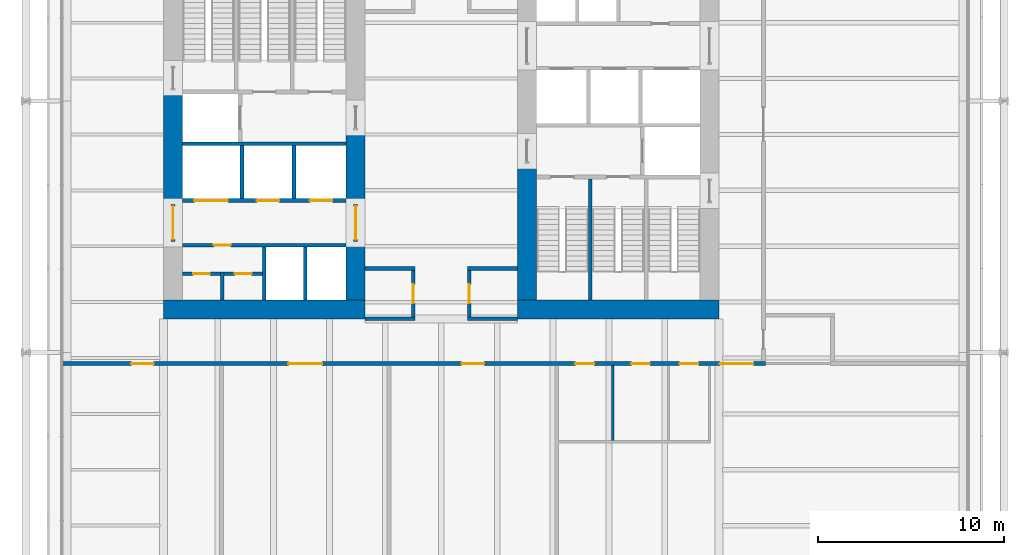
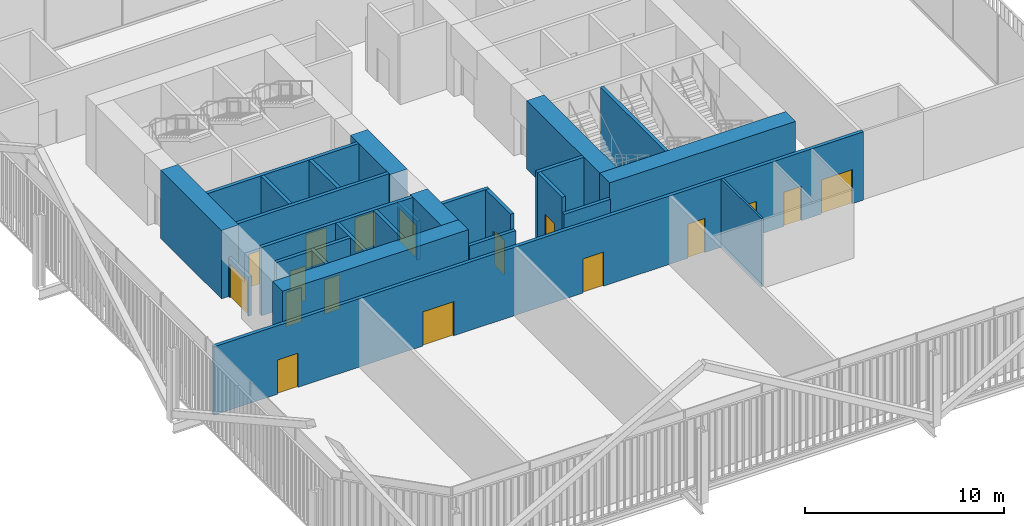
# One storey, part 17 of 21: 26 walls, 17 doors, 17 openings.
"""IFC4 building model written with IfcOpenShell, lengths in metres."""

import ifcopenshell
import ifcopenshell.guid

model = None  # the IFC model being written
_history = None  # IfcOwnerHistory: only IFC2X3 demands one
_inside = {}  # id of a spatial element -> (the spatial element, [elements in it])
_under = {}  # id of a project, library or spatial element -> (it, [spatial elements below it])
_declared = {}  # id of a project -> (the project, [libraries it declares])
_typed = {}  # id of a type object -> (the type object, [elements of that type])
_made_of = {}  # id of a material, layer set ... -> (it, [elements and type objects made of it])


def new_model(schema):
    """Start an empty IFC model of exactly this schema.

    Asked for "IFC4X3", IfcOpenShell would pick the latest addendum, in which some entities
    have other attributes; the version numbers below select the first issue.
    IFC2X3 requires an IfcOwnerHistory on every rooted entity: one is made here for all.
    """
    global model, _history
    if schema == "IFC4X3":
        model = ifcopenshell.file(schema_version=(4, 3, 0, 0))
    else:
        model = ifcopenshell.file(schema=schema)
    _inside.clear()
    _under.clear()
    _declared.clear()
    _typed.clear()
    _made_of.clear()
    _history = None
    if model.schema == "IFC2X3":
        org = make("IfcOrganization", Name="unknown")
        user = make(
            "IfcPersonAndOrganization",
            ThePerson=make("IfcPerson", FamilyName="unknown"),
            TheOrganization=org,
        )
        app = make(
            "IfcApplication",
            ApplicationDeveloper=org,
            Version="unknown",
            ApplicationFullName="unknown",
            ApplicationIdentifier="unknown",
        )
        _history = make(
            "IfcOwnerHistory",
            OwningUser=user,
            OwningApplication=app,
            ChangeAction="ADDED",
            CreationDate=0,
        )
    return model


def make(cls, **values):
    """One entity of the class cls with the attributes given. An attribute that is None is left unset."""
    return model.create_entity(
        cls, **{name: value for name, value in values.items() if value is not None}
    )


def rooted(cls, **values):
    """An entity with a GlobalId (a new one), such as an element, a storey or a relation."""
    return make(cls, GlobalId=ifcopenshell.guid.new(), OwnerHistory=_history, **values)


def si_unit(unit_type, name, prefix=None):
    """IfcSIUnit, for example si_unit("LENGTHUNIT", "METRE", prefix="MILLI")."""
    return make("IfcSIUnit", UnitType=unit_type, Prefix=prefix, Name=name)


def assignment(units):
    """IfcUnitAssignment: the units of a project."""
    return None if units is None else make("IfcUnitAssignment", Units=units)


def point(xyz):
    """IfcCartesianPoint."""
    return None if xyz is None else make("IfcCartesianPoint", Coordinates=xyz)


def direction(xyz):
    """IfcDirection."""
    return None if xyz is None else make("IfcDirection", DirectionRatios=xyz)


def frame(location, z_axis=None, x_axis=None):
    """IfcAxis2Placement3D, a coordinate frame: its origin and axes. An axis left out is left unset."""
    return make(
        "IfcAxis2Placement3D",
        Location=point(location),
        Axis=direction(z_axis),
        RefDirection=direction(x_axis),
    )


def frame_2d(location, x_axis=None):
    """IfcAxis2Placement2D, a coordinate frame in the plane: its origin and x axis."""
    return make(
        "IfcAxis2Placement2D", Location=point(location), RefDirection=direction(x_axis)
    )


def origin():
    """The frame at (0, 0, 0) with its axes left unset."""
    return frame((0.0, 0.0, 0.0))


def place(relative_to, where):
    """IfcLocalPlacement: puts the frame where relative to a parent placement (None: the world)."""
    return make(
        "IfcLocalPlacement", PlacementRelTo=relative_to, RelativePlacement=where
    )


def context(
    kind, dimensions, precision=None, world=None, true_north=None, identifier=None
):
    """IfcGeometricRepresentationContext, for example the 3D "Model" context."""
    return make(
        "IfcGeometricRepresentationContext",
        ContextIdentifier=identifier,
        ContextType=kind,
        CoordinateSpaceDimension=dimensions,
        Precision=precision,
        WorldCoordinateSystem=world,
        TrueNorth=true_north,
    )


def subcontext(parent, identifier, kind, view, scale=None):
    """IfcGeometricRepresentationSubContext, for example "Body" below "Model"."""
    return make(
        "IfcGeometricRepresentationSubContext",
        ContextIdentifier=identifier,
        ContextType=kind,
        ParentContext=parent,
        TargetScale=scale,
        TargetView=view,
    )


def project(units=None, contexts=None):
    """IfcProject with its units and contexts."""
    return rooted(
        "IfcProject",
        Name="project",
        RepresentationContexts=contexts,
        UnitsInContext=assignment(units),
    )


def spatial(cls, under=None, at=None, **own):
    """A site, building, storey or space (cls), placed at a placement, below another one or the project."""
    s = rooted(cls, ObjectPlacement=at, **own)
    if under is not None:
        _under.setdefault(under.id(), (under, []))[1].append(s)
    return s


def profile(cls, at=None, kind="AREA", **sizes):
    """A parametric profile (cls). Its sizes go by their IFC names, for example OverallWidth=200.0."""
    return make(cls, ProfileType=kind, Position=at, **sizes)


def rectangle(**sizes):
    """IfcRectangleProfileDef."""
    return profile("IfcRectangleProfileDef", **sizes)


def extrude(swept, where, along, depth):
    """IfcExtrudedAreaSolid: the profile swept, set in the frame where, extruded along a direction by depth."""
    return make(
        "IfcExtrudedAreaSolid",
        SweptArea=swept,
        Position=where,
        ExtrudedDirection=direction(along),
        Depth=depth,
    )


def shape(context_of_items, identifier, shape_type, items):
    """IfcShapeRepresentation: the items that make up one representation, for example the "Body"."""
    return make(
        "IfcShapeRepresentation",
        ContextOfItems=context_of_items,
        RepresentationIdentifier=identifier,
        RepresentationType=shape_type,
        Items=items,
    )


def material(Name=None, Category=None):
    """IfcMaterial."""
    return make("IfcMaterial", Name=Name, Category=Category)


def layer(
    of_material, thickness, ventilated=None, Name=None, Category=None, Priority=None
):
    """IfcMaterialLayer: one layer of a wall or slab, of a material (None: an air gap)."""
    return make(
        "IfcMaterialLayer",
        Material=of_material,
        LayerThickness=thickness,
        IsVentilated=ventilated,
        Name=Name,
        Category=Category,
        Priority=Priority,
    )


def layer_set(layers, Name=None):
    """IfcMaterialLayerSet."""
    return make("IfcMaterialLayerSet", MaterialLayers=layers, LayerSetName=Name)


def made_of(thing, what):
    """Note that an element or type object is made of a material, layer set ...; save() writes the relation."""
    if what is not None:
        _made_of.setdefault(what.id(), (what, []))[1].append(thing)
    return thing


def type_object(cls, material=None, **own):
    """A type object (cls), such as IfcWallType, which elements share."""
    return made_of(rooted(cls, **own), material)


def element(
    cls,
    number,
    at=None,
    inside=None,
    cuts=None,
    type_object=None,
    material=None,
    context=None,
    identifier="Body",
    shape_type=None,
    held_by="IfcProductDefinitionShape",
    body=None,
    shapes=None,
    **own,
):
    """One element of the class cls, such as IfcWall. Its Tag is "e" and its number.

    at: its placement. inside: the storey or other place that contains it. cuts: it is an
    opening in that element (IfcRelVoidsElement). A single representation is given by context,
    identifier, shape_type and body (its items); several are given by shapes. held_by: the class
    of the entity that holds the representations. save() writes the other relations.
    """
    e = rooted(cls, Tag="e%d" % number, ObjectPlacement=at, **own)
    if body is not None:
        shapes = [shape(context, identifier, shape_type, body)]
    if shapes is not None:
        e.Representation = make(held_by, Representations=shapes)
    if inside is not None:
        _inside.setdefault(inside.id(), (inside, []))[1].append(e)
    if cuts is not None:
        rooted(
            "IfcRelVoidsElement", RelatingBuildingElement=cuts, RelatedOpeningElement=e
        )
    if type_object is not None:
        _typed.setdefault(type_object.id(), (type_object, []))[1].append(e)
    return made_of(e, material)


def fill(opening, filler):
    """IfcRelFillsElement: the door or window that sits in an opening."""
    return rooted(
        "IfcRelFillsElement",
        RelatingOpeningElement=opening,
        RelatedBuildingElement=filler,
    )


def aggregate(whole, parts):
    """IfcRelAggregates: a whole, such as a stair, and the parts it consists of."""
    return rooted("IfcRelAggregates", RelatingObject=whole, RelatedObjects=parts)


def save(model, path):
    """Write the relations noted so far, then the file.

    IfcRelAggregates (storeys below a building ...), IfcRelContainedInSpatialStructure (elements
    in a storey), IfcRelDefinesByType, IfcRelAssociatesMaterial and IfcRelDeclares: one each for
    every whole, place, type object, material and project.
    """
    for whole, parts in _under.values():
        aggregate(whole, parts)
    for where, things in _inside.values():
        rooted(
            "IfcRelContainedInSpatialStructure",
            RelatedElements=things,
            RelatingStructure=where,
        )
    for kind, things in _typed.values():
        rooted("IfcRelDefinesByType", RelatedObjects=things, RelatingType=kind)
    for what, things in _made_of.values():
        rooted("IfcRelAssociatesMaterial", RelatedObjects=things, RelatingMaterial=what)
    for by, libraries in _declared.values():
        rooted("IfcRelDeclares", RelatingContext=by, RelatedDefinitions=libraries)
    model.write(path)


model = new_model("IFC4")

# Units and contexts
model_context = context("Model", 3, precision=1e-05, world=origin(), true_north=direction((0.0, 1.0)))
body_context = subcontext(model_context, "Body", "Model", "MODEL_VIEW")
ifc_project = project(units=[si_unit("LENGTHUNIT", "METRE"), si_unit("AREAUNIT", "SQUARE_METRE"), si_unit("VOLUMEUNIT", "CUBIC_METRE"), si_unit("PLANEANGLEUNIT", "RADIAN"), si_unit("MASSUNIT", "GRAM", prefix="KILO")], contexts=[model_context])

# Site, building, storey
site_placement = place(None, origin())
site = spatial("IfcSite", under=ifc_project, at=site_placement, CompositionType="ELEMENT")
building_placement = place(site_placement, origin())
building = spatial("IfcBuilding", under=site, at=building_placement, Name="Millrace Tower", CompositionType="ELEMENT")
storey_placement = place(building_placement, frame((0.0, 0.0, 104.0)))
storey = spatial("IfcBuildingStorey", under=building, at=storey_placement, Name="L23", CompositionType="ELEMENT", Elevation=104.0)

# Walls
ifc_material_1 = material(Name="Concrete C80", Category="concrete")
ifc_layer_1 = layer(ifc_material_1, 1.0)
ifc_layer_set_1 = layer_set([ifc_layer_1], Name="Concrete C80")
wall_type_1 = type_object("IfcWallType", Name="Core wall 1000 Concrete C80", PredefinedType="SHEAR", material=ifc_layer_set_1)
wall_1_placement = place(storey_placement, frame((-14.89990234375, -9.39990234375, 0.0), z_axis=(0.0, 0.0, 1.0), x_axis=(1.0, 0.0, 0.0)))
element("IfcWall", 1, at=wall_1_placement, inside=storey, type_object=wall_type_1, Name="Core wall W L23", PredefinedType="SHEAR", context=body_context, shape_type="SweptSolid", body=[
    extrude(rectangle(XDim=10.7998046875, YDim=1.0, at=frame_2d((5.39990234375, 0.0))), origin(), (0.0, 0.0, 1.0), 4.199951171875),
])
wall_2_placement = place(storey_placement, frame((-14.39990234375, -3.75, 0.0), z_axis=(0.0, 0.0, 1.0), x_axis=(0.0, 1.0, 0.0)))
element("IfcWall", 2, at=wall_2_placement, inside=storey, type_object=wall_type_1, Name="Core wall W L23", PredefinedType="SHEAR", context=body_context, shape_type="SweptSolid", body=[
    extrude(rectangle(XDim=6.1298828125, YDim=1.0, at=frame_2d((3.06494140625, 0.0))), origin(), (0.0, 0.0, 1.0), 4.199951171875),
])
wall_3_placement = place(storey_placement, frame((-4.60009765625, -8.89990234375, 0.0), z_axis=(0.0, 0.0, 1.0), x_axis=(0.0, 1.0, 0.0)))
element("IfcWall", 3, at=wall_3_placement, inside=storey, type_object=wall_type_1, Name="Core wall W L23", PredefinedType="SHEAR", context=body_context, shape_type="SweptSolid", body=[
    extrude(rectangle(XDim=3.14990234375, YDim=1.0, at=frame_2d((1.574951171875, 0.0))), origin(), (0.0, 0.0, 1.0), 4.199951171875),
])
wall_4_placement = place(storey_placement, frame((-4.60009765625, -3.75, 0.0), z_axis=(0.0, 0.0, 1.0), x_axis=(0.0, 1.0, 0.0)))
element("IfcWall", 4, at=wall_4_placement, inside=storey, type_object=wall_type_1, Name="Core wall W L23", PredefinedType="SHEAR", context=body_context, shape_type="SweptSolid", body=[
    extrude(rectangle(XDim=4.0, YDim=1.0, at=frame_2d((2.0, 0.0))), origin(), (0.0, 0.0, 1.0), 4.199951171875),
])
wall_5_placement = place(storey_placement, frame((14.89990234375, -9.39990234375, 0.0), z_axis=(0.0, 0.0, 1.0), x_axis=(-1.0, 0.0, 0.0)))
element("IfcWall", 5, at=wall_5_placement, inside=storey, type_object=wall_type_1, Name="Core wall E L23", PredefinedType="SHEAR", context=body_context, shape_type="SweptSolid", body=[
    extrude(rectangle(XDim=10.7998046875, YDim=1.0, at=frame_2d((5.39990234375, 0.0))), origin(), (0.0, 0.0, 1.0), 4.199951171875),
])
wall_6_placement = place(storey_placement, frame((4.60009765625, -1.550048828125, 0.0), z_axis=(0.0, 0.0, 1.0), x_axis=(0.0, -1.0, 0.0)))
element("IfcWall", 6, at=wall_6_placement, inside=storey, type_object=wall_type_1, Name="Core wall E L23", PredefinedType="SHEAR", context=body_context, shape_type="SweptSolid", body=[
    extrude(rectangle(XDim=7.349853515625, YDim=1.0, at=frame_2d((3.6748046875, 0.0))), origin(), (0.0, 0.0, 1.0), 4.199951171875),
])

# Wall, openings, doors
ifc_material_2 = material(Name="Masonry partition, fire-rated", Category="masonry")
ifc_layer_2 = layer(ifc_material_2, 0.199951171875)
ifc_layer_set_2 = layer_set([ifc_layer_2], Name="Masonry partition, fire-rated")
wall_type_2 = type_object("IfcWallType", Name="Corridor wall 200", PredefinedType="PARTITIONING", material=ifc_layer_set_2)
wall_7_placement = place(storey_placement, frame((-20.330078125, -12.300048828125, 0.0), z_axis=(0.0, 0.0, 1.0), x_axis=(1.0, 0.0, 0.0)))
wall_7 = element("IfcWall", 7, at=wall_7_placement, inside=storey, type_object=wall_type_2, Name="Corridor wall L23", PredefinedType="PARTITIONING", context=body_context, shape_type="SweptSolid", body=[
    extrude(rectangle(XDim=37.72998046875, YDim=0.199951171875, at=frame_2d((18.864990234375, 0.0))), origin(), (0.0, 0.0, 1.0), 4.199951171875),
])
opening_1_placement = place(wall_7_placement, frame((3.68994140625, 0.0, 0.0)))
opening_1 = element("IfcOpeningElement", 8, at=opening_1_placement, cuts=wall_7, Name="Opening 23-P005", PredefinedType="OPENING", context=body_context, shape_type="SweptSolid", body=[
    extrude(rectangle(XDim=1.199951171875, YDim=2.10009765625, at=frame_2d((0.60009765625, 1.050048828125))), frame((0.0, 0.10986328125, 0.0), z_axis=(0.0, -1.0, 0.0), x_axis=(1.0, 0.0, 0.0)), (0.0, 0.0, 1.0), 0.219970703125),
])
opening_2_placement = place(wall_7_placement, frame((12.1298828125, 0.0, 0.0)))
opening_2 = element("IfcOpeningElement", 9, at=opening_2_placement, cuts=wall_7, Name="Opening 23-P006", PredefinedType="OPENING", context=body_context, shape_type="SweptSolid", body=[
    extrude(rectangle(XDim=1.800048828125, YDim=2.10009765625, at=frame_2d((0.89990234375, 1.050048828125))), frame((0.0, 0.10986328125, 0.0), z_axis=(0.0, -1.0, 0.0), x_axis=(1.0, 0.0, 0.0)), (0.0, 0.0, 1.0), 0.219970703125),
])
opening_3_placement = place(wall_7_placement, frame((21.429931640625, 0.0, 0.0)))
opening_3 = element("IfcOpeningElement", 10, at=opening_3_placement, cuts=wall_7, Name="Opening 23-P007", PredefinedType="OPENING", context=body_context, shape_type="SweptSolid", body=[
    extrude(rectangle(XDim=1.199951171875, YDim=2.10009765625, at=frame_2d((0.60009765625, 1.050048828125))), frame((0.0, 0.10986328125, 0.0), z_axis=(0.0, -1.0, 0.0), x_axis=(1.0, 0.0, 0.0)), (0.0, 0.0, 1.0), 0.219970703125),
])
opening_4_placement = place(wall_7_placement, frame((35.284912109375, 0.0, 0.0)))
opening_4 = element("IfcOpeningElement", 11, at=opening_4_placement, cuts=wall_7, Name="Opening 23-P008", PredefinedType="OPENING", context=body_context, shape_type="SweptSolid", body=[
    extrude(rectangle(XDim=1.800048828125, YDim=2.10009765625, at=frame_2d((0.89990234375, 1.050048828125))), frame((0.0, 0.10986328125, 0.0), z_axis=(0.0, -1.0, 0.0), x_axis=(1.0, 0.0, 0.0)), (0.0, 0.0, 1.0), 0.219970703125),
])
opening_5_placement = place(wall_7_placement, frame((27.530029296875, 0.0, 0.0)))
opening_5 = element("IfcOpeningElement", 12, at=opening_5_placement, cuts=wall_7, Name="Opening 23-P009", PredefinedType="OPENING", context=body_context, shape_type="SweptSolid", body=[
    extrude(rectangle(XDim=1.0, YDim=2.10009765625, at=frame_2d((0.5, 1.050048828125))), frame((0.0, 0.10986328125, 0.0), z_axis=(0.0, -1.0, 0.0), x_axis=(1.0, 0.0, 0.0)), (0.0, 0.0, 1.0), 0.219970703125),
])
opening_6_placement = place(wall_7_placement, frame((30.530029296875, 0.0, 0.0)))
opening_6 = element("IfcOpeningElement", 13, at=opening_6_placement, cuts=wall_7, Name="Opening 23-P010", PredefinedType="OPENING", context=body_context, shape_type="SweptSolid", body=[
    extrude(rectangle(XDim=1.0, YDim=2.10009765625, at=frame_2d((0.5, 1.050048828125))), frame((0.0, 0.10986328125, 0.0), z_axis=(0.0, -1.0, 0.0), x_axis=(1.0, 0.0, 0.0)), (0.0, 0.0, 1.0), 0.219970703125),
])
opening_7_placement = place(wall_7_placement, frame((33.1298828125, 0.0, 0.0)))
opening_7 = element("IfcOpeningElement", 14, at=opening_7_placement, cuts=wall_7, Name="Opening 23-P011", PredefinedType="OPENING", context=body_context, shape_type="SweptSolid", body=[
    extrude(rectangle(XDim=1.0, YDim=2.10009765625, at=frame_2d((0.5, 1.050048828125))), frame((0.0, 0.10986328125, 0.0), z_axis=(0.0, -1.0, 0.0), x_axis=(1.0, 0.0, 0.0)), (0.0, 0.0, 1.0), 0.219970703125),
])
ifc_material_3 = material(Name="Steel door set, fire-rated", Category="steel")
door_type_1 = type_object("IfcDoorType", Name="Corridor door 1000 x 2100", OperationType="SINGLE_SWING_LEFT", PredefinedType="DOOR", material=ifc_material_3)
door_1_placement = place(opening_5_placement, frame((1.0, 0.0, 0.0), z_axis=(0.0, 0.0, 1.0), x_axis=(-1.0, 0.0, 0.0)))
door_1 = element("IfcDoor", 15, at=door_1_placement, inside=storey, type_object=door_type_1, Name="Door 23-P009", OperationType="SINGLE_SWING_LEFT", OverallHeight=2.10009765625, OverallWidth=1.0, PredefinedType="DOOR", context=body_context, shape_type="SweptSolid", body=[
    extrude(rectangle(XDim=1.0, YDim=2.10009765625, at=frame_2d((0.5, 1.050048828125))), frame((0.0, 0.02490234375, 0.0), z_axis=(0.0, -1.0, 0.0), x_axis=(1.0, 0.0, 0.0)), (0.0, 0.0, 1.0), 0.050048828125),
])
fill(opening_5, door_1)
door_2_placement = place(opening_6_placement, frame((1.0, 0.0, 0.0), z_axis=(0.0, 0.0, 1.0), x_axis=(-1.0, 0.0, 0.0)))
door_2 = element("IfcDoor", 16, at=door_2_placement, inside=storey, type_object=door_type_1, Name="Door 23-P010", OperationType="SINGLE_SWING_LEFT", OverallHeight=2.10009765625, OverallWidth=1.0, PredefinedType="DOOR", context=body_context, shape_type="SweptSolid", body=[
    extrude(rectangle(XDim=1.0, YDim=2.10009765625, at=frame_2d((0.5, 1.050048828125))), frame((0.0, 0.02490234375, 0.0), z_axis=(0.0, -1.0, 0.0), x_axis=(1.0, 0.0, 0.0)), (0.0, 0.0, 1.0), 0.050048828125),
])
fill(opening_6, door_2)
door_3_placement = place(opening_7_placement, frame((1.0, 0.0, 0.0), z_axis=(0.0, 0.0, 1.0), x_axis=(-1.0, 0.0, 0.0)))
door_3 = element("IfcDoor", 17, at=door_3_placement, inside=storey, type_object=door_type_1, Name="Door 23-P011", OperationType="SINGLE_SWING_LEFT", OverallHeight=2.10009765625, OverallWidth=1.0, PredefinedType="DOOR", context=body_context, shape_type="SweptSolid", body=[
    extrude(rectangle(XDim=1.0, YDim=2.10009765625, at=frame_2d((0.5, 1.050048828125))), frame((0.0, 0.02490234375, 0.0), z_axis=(0.0, -1.0, 0.0), x_axis=(1.0, 0.0, 0.0)), (0.0, 0.0, 1.0), 0.050048828125),
])
fill(opening_7, door_3)
ifc_material_4 = material(Name="Steel door set, fire-rated", Category="steel")
door_type_2 = type_object("IfcDoorType", Name="Corridor door 1800 x 2100", OperationType="DOUBLE_DOOR_SINGLE_SWING", PredefinedType="DOOR", material=ifc_material_4)
door_4_placement = place(opening_4_placement, origin())
door_4 = element("IfcDoor", 18, at=door_4_placement, inside=storey, type_object=door_type_2, Name="Door 23-P008", OperationType="DOUBLE_DOOR_SINGLE_SWING", OverallHeight=2.10009765625, OverallWidth=1.800048828125, PredefinedType="DOOR", context=body_context, shape_type="SweptSolid", body=[
    extrude(rectangle(XDim=1.800048828125, YDim=2.10009765625, at=frame_2d((0.89990234375, 1.050048828125))), frame((0.0, 0.02490234375, 0.0), z_axis=(0.0, -1.0, 0.0), x_axis=(1.0, 0.0, 0.0)), (0.0, 0.0, 1.0), 0.050048828125),
])
fill(opening_4, door_4)
ifc_material_5 = material(Name="Steel door set, fire-rated", Category="steel")
door_type_3 = type_object("IfcDoorType", Name="Data hall door 1200 x 2100", OperationType="SINGLE_SWING_LEFT", PredefinedType="DOOR", material=ifc_material_5)
door_5_placement = place(opening_1_placement, frame((1.199951171875, 0.0, 0.0), z_axis=(0.0, 0.0, 1.0), x_axis=(-1.0, 0.0, 0.0)))
door_5 = element("IfcDoor", 19, at=door_5_placement, inside=storey, type_object=door_type_3, Name="Door 23-P005", OperationType="SINGLE_SWING_RIGHT", OverallHeight=2.10009765625, OverallWidth=1.199951171875, PredefinedType="DOOR", context=body_context, shape_type="SweptSolid", body=[
    extrude(rectangle(XDim=1.199951171875, YDim=2.10009765625, at=frame_2d((0.60009765625, 1.050048828125))), frame((0.0, 0.02490234375, 0.0), z_axis=(0.0, -1.0, 0.0), x_axis=(1.0, 0.0, 0.0)), (0.0, 0.0, 1.0), 0.050048828125),
])
fill(opening_1, door_5)
door_6_placement = place(opening_3_placement, frame((1.199951171875, 0.0, 0.0), z_axis=(0.0, 0.0, 1.0), x_axis=(-1.0, 0.0, 0.0)))
door_6 = element("IfcDoor", 20, at=door_6_placement, inside=storey, type_object=door_type_3, Name="Door 23-P007", OperationType="SINGLE_SWING_LEFT", OverallHeight=2.10009765625, OverallWidth=1.199951171875, PredefinedType="DOOR", context=body_context, shape_type="SweptSolid", body=[
    extrude(rectangle(XDim=1.199951171875, YDim=2.10009765625, at=frame_2d((0.60009765625, 1.050048828125))), frame((0.0, 0.02490234375, 0.0), z_axis=(0.0, -1.0, 0.0), x_axis=(1.0, 0.0, 0.0)), (0.0, 0.0, 1.0), 0.050048828125),
])
fill(opening_3, door_6)
ifc_material_6 = material(Name="Steel door set, fire-rated", Category="steel")
door_type_4 = type_object("IfcDoorType", Name="Data hall door 1800 x 2100", OperationType="DOUBLE_DOOR_SINGLE_SWING", PredefinedType="DOOR", material=ifc_material_6)
door_7_placement = place(opening_2_placement, frame((1.800048828125, 0.0, 0.0), z_axis=(0.0, 0.0, 1.0), x_axis=(-1.0, 0.0, 0.0)))
door_7 = element("IfcDoor", 21, at=door_7_placement, inside=storey, type_object=door_type_4, Name="Door 23-P006", OperationType="DOUBLE_DOOR_SINGLE_SWING", OverallHeight=2.10009765625, OverallWidth=1.800048828125, PredefinedType="DOOR", context=body_context, shape_type="SweptSolid", body=[
    extrude(rectangle(XDim=1.800048828125, YDim=2.10009765625, at=frame_2d((0.89990234375, 1.050048828125))), frame((0.0, 0.02490234375, 0.0), z_axis=(0.0, -1.0, 0.0), x_axis=(1.0, 0.0, 0.0)), (0.0, 0.0, 1.0), 0.050048828125),
])
fill(opening_2, door_7)

# Walls
for number, where, z_axis, x_axis, name in (
    (22, (-4.10009765625, -9.89990234375, 0.0), (0.0, 0.0, 1.0), (1.0, 0.0, 0.0), "Corridor wall L23"),
    (23, (1.39990234375, -9.89990234375, 0.0), (0.0, 0.0, 1.0), (1.0, 0.0, 0.0), "Corridor wall L23"),
):
    element("IfcWall", number, at=place(storey_placement, frame(where, z_axis=z_axis, x_axis=x_axis)), inside=storey, type_object=wall_type_2, Name=name, PredefinedType="PARTITIONING", context=body_context, shape_type="SweptSolid", body=[
        extrude(rectangle(XDim=2.7001953125, YDim=0.199951171875, at=frame_2d((1.35009765625, 0.0))), origin(), (0.0, 0.0, 1.0), 3.2626953125),
    ])
for number, where, z_axis, x_axis, name in (
    (24, (-4.10009765625, -7.199951171875, 0.0), (0.0, 0.0, 1.0), (1.0, 0.0, 0.0), "Corridor wall L23"),
    (25, (1.39990234375, -7.199951171875, 0.0), (0.0, 0.0, 1.0), (1.0, 0.0, 0.0), "Corridor wall L23"),
):
    element("IfcWall", number, at=place(storey_placement, frame(where, z_axis=z_axis, x_axis=x_axis)), inside=storey, type_object=wall_type_2, Name=name, PredefinedType="PARTITIONING", context=body_context, shape_type="SweptSolid", body=[
        extrude(rectangle(XDim=2.7001953125, YDim=0.199951171875, at=frame_2d((1.35009765625, 0.0))), origin(), (0.0, 0.0, 1.0), 4.199951171875),
    ])

# Wall, opening, door
wall_8_placement = place(storey_placement, frame((1.5, -9.800048828125, 0.0), z_axis=(0.0, 0.0, 1.0), x_axis=(0.0, 1.0, 0.0)))
wall_8 = element("IfcWall", 26, at=wall_8_placement, inside=storey, type_object=wall_type_2, Name="Corridor wall L23", PredefinedType="PARTITIONING", context=body_context, shape_type="SweptSolid", body=[
    extrude(rectangle(XDim=2.5, YDim=0.199951171875, at=frame_2d((1.25, 0.0))), origin(), (0.0, 0.0, 1.0), 4.199951171875),
])
opening_8_placement = place(wall_8_placement, frame((0.75, 0.0, 0.0)))
opening_8 = element("IfcOpeningElement", 27, at=opening_8_placement, cuts=wall_8, Name="Opening 23-P004", PredefinedType="OPENING", context=body_context, shape_type="SweptSolid", body=[
    extrude(rectangle(XDim=1.0, YDim=2.10009765625, at=frame_2d((0.5, 1.050048828125))), frame((0.0, 0.10986328125, 0.0), z_axis=(0.0, -1.0, 0.0), x_axis=(1.0, 0.0, 0.0)), (0.0, 0.0, 1.0), 0.219970703125),
])
door_8_placement = place(opening_8_placement, frame((1.0, 0.0, 0.0), z_axis=(0.0, 0.0, 1.0), x_axis=(-1.0, 0.0, 0.0)))
door_8 = element("IfcDoor", 28, at=door_8_placement, inside=storey, type_object=door_type_1, Name="Door 23-P004", OperationType="SINGLE_SWING_RIGHT", OverallHeight=2.10009765625, OverallWidth=1.0, PredefinedType="DOOR", context=body_context, shape_type="SweptSolid", body=[
    extrude(rectangle(XDim=1.0, YDim=2.10009765625, at=frame_2d((0.5, 1.050048828125))), frame((0.0, 0.02490234375, 0.0), z_axis=(0.0, -1.0, 0.0), x_axis=(1.0, 0.0, 0.0)), (0.0, 0.0, 1.0), 0.050048828125),
])
fill(opening_8, door_8)

wall_9_placement = place(storey_placement, frame((-1.5, -9.800048828125, 0.0), z_axis=(0.0, 0.0, 1.0), x_axis=(0.0, 1.0, 0.0)))
wall_9 = element("IfcWall", 29, at=wall_9_placement, inside=storey, type_object=wall_type_2, Name="Corridor wall L23", PredefinedType="PARTITIONING", context=body_context, shape_type="SweptSolid", body=[
    extrude(rectangle(XDim=2.5, YDim=0.199951171875, at=frame_2d((1.25, 0.0))), origin(), (0.0, 0.0, 1.0), 4.199951171875),
])
opening_9_placement = place(wall_9_placement, frame((0.75, 0.0, 0.0)))
opening_9 = element("IfcOpeningElement", 30, at=opening_9_placement, cuts=wall_9, Name="Opening 23-P003", PredefinedType="OPENING", context=body_context, shape_type="SweptSolid", body=[
    extrude(rectangle(XDim=1.0, YDim=2.10009765625, at=frame_2d((0.5, 1.050048828125))), frame((0.0, 0.10986328125, 0.0), z_axis=(0.0, -1.0, 0.0), x_axis=(1.0, 0.0, 0.0)), (0.0, 0.0, 1.0), 0.219970703125),
])
door_9_placement = place(opening_9_placement, origin())
door_9 = element("IfcDoor", 31, at=door_9_placement, inside=storey, type_object=door_type_1, Name="Door 23-P003", OperationType="SINGLE_SWING_LEFT", OverallHeight=2.10009765625, OverallWidth=1.0, PredefinedType="DOOR", context=body_context, shape_type="SweptSolid", body=[
    extrude(rectangle(XDim=1.0, YDim=2.10009765625, at=frame_2d((0.5, 1.050048828125))), frame((0.0, 0.02490234375, 0.0), z_axis=(0.0, -1.0, 0.0), x_axis=(1.0, 0.0, 0.0)), (0.0, 0.0, 1.0), 0.050048828125),
])
fill(opening_9, door_9)

ifc_material_7 = material(Name="Masonry partition, fire-rated", Category="masonry")
ifc_layer_3 = layer(ifc_material_7, 0.199951171875)
ifc_layer_set_3 = layer_set([ifc_layer_3], Name="Masonry partition, fire-rated")
wall_type_3 = type_object("IfcWallType", Name="Lift shaft wall 200", PredefinedType="PARTITIONING", material=ifc_layer_set_3)
wall_10_placement = place(storey_placement, frame((-13.89990234375, -5.949951171875, 0.0), z_axis=(0.0, 0.0, 1.0), x_axis=(1.0, 0.0, 0.0)))
wall_10 = element("IfcWall", 32, at=wall_10_placement, inside=storey, type_object=wall_type_3, Name="Lift shaft wall W L23", PredefinedType="PARTITIONING", context=body_context, shape_type="SweptSolid", body=[
    extrude(rectangle(XDim=8.7998046875, YDim=0.199951171875, at=frame_2d((4.39990234375, 0.0))), origin(), (0.0, 0.0, 1.0), 4.199951171875),
])
opening_10_placement = place(wall_10_placement, frame((1.699951171875, 0.0, 0.0)))
opening_10 = element("IfcOpeningElement", 33, at=opening_10_placement, cuts=wall_10, Name="Opening 23-C005", PredefinedType="OPENING", context=body_context, shape_type="SweptSolid", body=[
    extrude(rectangle(XDim=0.89990234375, YDim=2.10009765625, at=frame_2d((0.449951171875, 1.050048828125))), frame((0.0, 0.10986328125, 0.0), z_axis=(0.0, -1.0, 0.0), x_axis=(1.0, 0.0, 0.0)), (0.0, 0.0, 1.0), 0.219970703125),
])
ifc_material_8 = material(Name="Steel door, fire-rated", Category="steel")
door_type_5 = type_object("IfcDoorType", Name="Service room door 900 x 2100", OperationType="SINGLE_SWING_LEFT", PredefinedType="DOOR", material=ifc_material_8)
door_10_placement = place(opening_10_placement, origin())
door_10 = element("IfcDoor", 34, at=door_10_placement, inside=storey, type_object=door_type_5, Name="Service room door 23-C005", OperationType="SINGLE_SWING_LEFT", OverallHeight=2.10009765625, OverallWidth=0.89990234375, PredefinedType="DOOR", context=body_context, shape_type="SweptSolid", body=[
    extrude(rectangle(XDim=0.89990234375, YDim=2.10009765625, at=frame_2d((0.449951171875, 1.050048828125))), frame((0.0, 0.02490234375, 0.0), z_axis=(0.0, -1.0, 0.0), x_axis=(1.0, 0.0, 0.0)), (0.0, 0.0, 1.0), 0.050048828125),
])
fill(opening_10, door_10)

# Wall, openings, doors
wall_11_placement = place(storey_placement, frame((-13.89990234375, -3.550048828125, 0.0), z_axis=(0.0, 0.0, 1.0), x_axis=(1.0, 0.0, 0.0)))
wall_11 = element("IfcWall", 35, at=wall_11_placement, inside=storey, type_object=wall_type_3, Name="Lift shaft wall W L23", PredefinedType="PARTITIONING", context=body_context, shape_type="SweptSolid", body=[
    extrude(rectangle(XDim=8.7998046875, YDim=0.199951171875, at=frame_2d((4.39990234375, 0.0))), origin(), (0.0, 0.0, 1.0), 4.199951171875),
])
opening_11_placement = place(wall_11_placement, frame((0.64990234375, 0.0, 0.0)))
opening_11 = element("IfcOpeningElement", 36, at=opening_11_placement, cuts=wall_11, Name="Opening 23-LD05", PredefinedType="OPENING", context=body_context, shape_type="SweptSolid", body=[
    extrude(rectangle(XDim=1.800048828125, YDim=2.10009765625, at=frame_2d((0.89990234375, 1.050048828125))), frame((0.0, 0.10986328125, 0.0), z_axis=(0.0, -1.0, 0.0), x_axis=(1.0, 0.0, 0.0)), (0.0, 0.0, 1.0), 0.219970703125),
])
opening_12_placement = place(wall_11_placement, frame((4.0, 0.0, 0.0)))
opening_12 = element("IfcOpeningElement", 37, at=opening_12_placement, cuts=wall_11, Name="Opening 23-LD06", PredefinedType="OPENING", context=body_context, shape_type="SweptSolid", body=[
    extrude(rectangle(XDim=1.199951171875, YDim=2.10009765625, at=frame_2d((0.60009765625, 1.050048828125))), frame((0.0, 0.10986328125, 0.0), z_axis=(0.0, -1.0, 0.0), x_axis=(1.0, 0.0, 0.0)), (0.0, 0.0, 1.0), 0.219970703125),
])
opening_13_placement = place(wall_11_placement, frame((6.85009765625, 0.0, 0.0)))
opening_13 = element("IfcOpeningElement", 38, at=opening_13_placement, cuts=wall_11, Name="Opening 23-LD07", PredefinedType="OPENING", context=body_context, shape_type="SweptSolid", body=[
    extrude(rectangle(XDim=1.199951171875, YDim=2.10009765625, at=frame_2d((0.60009765625, 1.050048828125))), frame((0.0, 0.10986328125, 0.0), z_axis=(0.0, -1.0, 0.0), x_axis=(1.0, 0.0, 0.0)), (0.0, 0.0, 1.0), 0.219970703125),
])
ifc_material_9 = material(Name="Stainless steel, fire-rated", Category="steel")
door_type_6 = type_object("IfcDoorType", Name="Lift landing door 1200 x 2100", OperationType="DOUBLE_DOOR_SLIDING", PredefinedType="DOOR", material=ifc_material_9)
door_11_placement = place(opening_12_placement, origin())
door_11 = element("IfcDoor", 39, at=door_11_placement, inside=storey, type_object=door_type_6, Name="Lift landing door LF6 L23", OperationType="DOUBLE_DOOR_SLIDING", OverallHeight=2.10009765625, OverallWidth=1.199951171875, PredefinedType="DOOR", context=body_context, shape_type="SweptSolid", body=[
    extrude(rectangle(XDim=1.199951171875, YDim=2.10009765625, at=frame_2d((0.60009765625, 1.050048828125))), frame((0.0, 0.02490234375, 0.0), z_axis=(0.0, -1.0, 0.0), x_axis=(1.0, 0.0, 0.0)), (0.0, 0.0, 1.0), 0.050048828125),
])
fill(opening_12, door_11)
door_12_placement = place(opening_13_placement, origin())
door_12 = element("IfcDoor", 40, at=door_12_placement, inside=storey, type_object=door_type_6, Name="Lift landing door LF7 L23", OperationType="DOUBLE_DOOR_SLIDING", OverallHeight=2.10009765625, OverallWidth=1.199951171875, PredefinedType="DOOR", context=body_context, shape_type="SweptSolid", body=[
    extrude(rectangle(XDim=1.199951171875, YDim=2.10009765625, at=frame_2d((0.60009765625, 1.050048828125))), frame((0.0, 0.02490234375, 0.0), z_axis=(0.0, -1.0, 0.0), x_axis=(1.0, 0.0, 0.0)), (0.0, 0.0, 1.0), 0.050048828125),
])
fill(opening_13, door_12)
ifc_material_10 = material(Name="Stainless steel, fire-rated", Category="steel")
door_type_7 = type_object("IfcDoorType", Name="Lift landing door 1800 x 2100", OperationType="DOUBLE_DOOR_SLIDING", PredefinedType="DOOR", material=ifc_material_10)
door_13_placement = place(opening_11_placement, origin())
door_13 = element("IfcDoor", 41, at=door_13_placement, inside=storey, type_object=door_type_7, Name="Lift landing door LF5 L23", OperationType="DOUBLE_DOOR_SLIDING", OverallHeight=2.10009765625, OverallWidth=1.800048828125, PredefinedType="DOOR", context=body_context, shape_type="SweptSolid", body=[
    extrude(rectangle(XDim=1.800048828125, YDim=2.10009765625, at=frame_2d((0.89990234375, 1.050048828125))), frame((0.0, 0.02490234375, 0.0), z_axis=(0.0, -1.0, 0.0), x_axis=(1.0, 0.0, 0.0)), (0.0, 0.0, 1.0), 0.050048828125),
])
fill(opening_11, door_13)

# Walls
wall_12_placement = place(storey_placement, frame((-13.89990234375, -0.5, 0.0), z_axis=(0.0, 0.0, 1.0), x_axis=(1.0, 0.0, 0.0)))
element("IfcWall", 42, at=wall_12_placement, inside=storey, type_object=wall_type_3, Name="Lift shaft wall W L23", PredefinedType="PARTITIONING", context=body_context, shape_type="SweptSolid", body=[
    extrude(rectangle(XDim=8.7998046875, YDim=0.199951171875, at=frame_2d((4.39990234375, 0.0))), origin(), (0.0, 0.0, 1.0), 4.199951171875),
])
for number, where, z_axis, x_axis, name in (
    (43, (-9.5, -8.89990234375, 0.0), (0.0, 0.0, 1.0), (0.0, 1.0, 0.0), "Lift shaft wall W L23"),
    (44, (-7.300048828125, -8.89990234375, 0.0), (0.0, 0.0, 1.0), (0.0, 1.0, 0.0), "Lift shaft wall W L23"),
    (45, (-10.699951171875, -3.449951171875, 0.0), (0.0, 0.0, 1.0), (0.0, 1.0, 0.0), "Lift shaft wall W L23"),
    (46, (-7.89990234375, -3.449951171875, 0.0), (0.0, 0.0, 1.0), (0.0, 1.0, 0.0), "Lift shaft wall W L23"),
):
    element("IfcWall", number, at=place(storey_placement, frame(where, z_axis=z_axis, x_axis=x_axis)), inside=storey, type_object=wall_type_3, Name=name, PredefinedType="PARTITIONING", context=body_context, shape_type="SweptSolid", body=[
        extrude(rectangle(XDim=2.849853515625, YDim=0.199951171875, at=frame_2d((1.4248046875, 0.0))), origin(), (0.0, 0.0, 1.0), 4.199951171875),
    ])

# Wall, opening, door
ifc_material_11 = material(Name="Masonry partition, fire-rated", Category="masonry")
ifc_layer_4 = layer(ifc_material_11, 0.199951171875)
ifc_layer_set_4 = layer_set([ifc_layer_4], Name="Masonry partition, fire-rated")
wall_type_4 = type_object("IfcWallType", Name="Lobby wall 200", PredefinedType="PARTITIONING", material=ifc_layer_set_4)
wall_13_placement = place(storey_placement, frame((-14.39990234375, -5.75, 0.0), z_axis=(0.0, 0.0, 1.0), x_axis=(0.0, 1.0, 0.0)))
wall_13 = element("IfcWall", 47, at=wall_13_placement, inside=storey, type_object=wall_type_4, Name="Lobby wall W L23", PredefinedType="PARTITIONING", context=body_context, shape_type="SweptSolid", body=[
    extrude(rectangle(XDim=2.0, YDim=0.199951171875, at=frame_2d((1.0, 0.0))), origin(), (0.0, 0.0, 1.0), 2.39990234375),
])
opening_14_placement = place(wall_13_placement, frame((0.10009765625, 0.0, 0.0)))
opening_14 = element("IfcOpeningElement", 48, at=opening_14_placement, cuts=wall_13, Name="Opening 23-C001", PredefinedType="OPENING", context=body_context, shape_type="SweptSolid", body=[
    extrude(rectangle(XDim=1.800048828125, YDim=2.10009765625, at=frame_2d((0.89990234375, 1.050048828125))), frame((0.0, 0.10986328125, 0.0), z_axis=(0.0, -1.0, 0.0), x_axis=(1.0, 0.0, 0.0)), (0.0, 0.0, 1.0), 0.219970703125),
])
ifc_material_12 = material(Name="Steel door, fire-rated", Category="steel")
door_type_8 = type_object("IfcDoorType", Name="Lobby door 1800 x 2100", OperationType="DOUBLE_DOOR_SINGLE_SWING", PredefinedType="DOOR", material=ifc_material_12)
door_14_placement = place(opening_14_placement, origin())
door_14 = element("IfcDoor", 49, at=door_14_placement, inside=storey, type_object=door_type_8, Name="Lobby door 23-C001", OperationType="DOUBLE_DOOR_SINGLE_SWING", OverallHeight=2.10009765625, OverallWidth=1.800048828125, PredefinedType="DOOR", context=body_context, shape_type="SweptSolid", body=[
    extrude(rectangle(XDim=1.800048828125, YDim=2.10009765625, at=frame_2d((0.89990234375, 1.050048828125))), frame((0.0, 0.02490234375, 0.0), z_axis=(0.0, -1.0, 0.0), x_axis=(1.0, 0.0, 0.0)), (0.0, 0.0, 1.0), 0.050048828125),
])
fill(opening_14, door_14)

wall_14_placement = place(storey_placement, frame((-4.60009765625, -5.75, 0.0), z_axis=(0.0, 0.0, 1.0), x_axis=(0.0, 1.0, 0.0)))
wall_14 = element("IfcWall", 50, at=wall_14_placement, inside=storey, type_object=wall_type_4, Name="Lobby wall W L23", PredefinedType="PARTITIONING", context=body_context, shape_type="SweptSolid", body=[
    extrude(rectangle(XDim=2.0, YDim=0.199951171875, at=frame_2d((1.0, 0.0))), origin(), (0.0, 0.0, 1.0), 2.39990234375),
])
opening_15_placement = place(wall_14_placement, frame((0.10009765625, 0.0, 0.0)))
opening_15 = element("IfcOpeningElement", 51, at=opening_15_placement, cuts=wall_14, Name="Opening 23-C003", PredefinedType="OPENING", context=body_context, shape_type="SweptSolid", body=[
    extrude(rectangle(XDim=1.800048828125, YDim=2.10009765625, at=frame_2d((0.89990234375, 1.050048828125))), frame((0.0, 0.10986328125, 0.0), z_axis=(0.0, -1.0, 0.0), x_axis=(1.0, 0.0, 0.0)), (0.0, 0.0, 1.0), 0.219970703125),
])
door_15_placement = place(opening_15_placement, origin())
door_15 = element("IfcDoor", 52, at=door_15_placement, inside=storey, type_object=door_type_8, Name="Lobby door 23-C003", OperationType="DOUBLE_DOOR_SINGLE_SWING", OverallHeight=2.10009765625, OverallWidth=1.800048828125, PredefinedType="DOOR", context=body_context, shape_type="SweptSolid", body=[
    extrude(rectangle(XDim=1.800048828125, YDim=2.10009765625, at=frame_2d((0.89990234375, 1.050048828125))), frame((0.0, 0.02490234375, 0.0), z_axis=(0.0, -1.0, 0.0), x_axis=(1.0, 0.0, 0.0)), (0.0, 0.0, 1.0), 0.050048828125),
])
fill(opening_15, door_15)

# Wall
ifc_material_13 = material(Name="Gypsum board partition")
ifc_layer_5 = layer(ifc_material_13, 0.1201171875)
ifc_layer_set_5 = layer_set([ifc_layer_5], Name="Gypsum board partition")
wall_type_5 = type_object("IfcWallType", Name="Partition wall 120", PredefinedType="PARTITIONING", material=ifc_layer_set_5)
wall_15_placement = place(storey_placement, frame((9.199951171875, -16.43994140625, 0.0), z_axis=(0.0, 0.0, 1.0), x_axis=(0.0, 1.0, 0.0)))
element("IfcWall", 53, at=wall_15_placement, inside=storey, type_object=wall_type_5, Name="Partition wall L23", PredefinedType="PARTITIONING", context=body_context, shape_type="SweptSolid", body=[
    extrude(rectangle(XDim=4.0400390625, YDim=0.1201171875, at=frame_2d((2.02001953125, 0.0))), origin(), (0.0, 0.0, 1.0), 4.199951171875),
])

# Wall, openings, doors
ifc_material_14 = material(Name="Masonry partition, fire-rated", Category="masonry")
ifc_layer_6 = layer(ifc_material_14, 0.199951171875)
ifc_layer_set_6 = layer_set([ifc_layer_6], Name="Masonry partition, fire-rated")
wall_type_6 = type_object("IfcWallType", Name="Room partition 200", PredefinedType="PARTITIONING", material=ifc_layer_set_6)
wall_16_placement = place(storey_placement, frame((-13.89990234375, -7.47509765625, 0.0), z_axis=(0.0, 0.0, 1.0), x_axis=(1.0, 0.0, 0.0)))
wall_16 = element("IfcWall", 54, at=wall_16_placement, inside=storey, type_object=wall_type_6, Name="Room partition W L23", PredefinedType="PARTITIONING", context=body_context, shape_type="SweptSolid", body=[
    extrude(rectangle(XDim=4.2998046875, YDim=0.199951171875, at=frame_2d((2.14990234375, 0.0))), origin(), (0.0, 0.0, 1.0), 4.199951171875),
])
opening_16_placement = place(wall_16_placement, frame((0.574951171875, 0.0, 0.0)))
opening_16 = element("IfcOpeningElement", 55, at=opening_16_placement, cuts=wall_16, Name="Opening 23-C006", PredefinedType="OPENING", context=body_context, shape_type="SweptSolid", body=[
    extrude(rectangle(XDim=0.89990234375, YDim=2.10009765625, at=frame_2d((0.449951171875, 1.050048828125))), frame((0.0, 0.10986328125, 0.0), z_axis=(0.0, -1.0, 0.0), x_axis=(1.0, 0.0, 0.0)), (0.0, 0.0, 1.0), 0.219970703125),
])
opening_17_placement = place(wall_16_placement, frame((2.824951171875, 0.0, 0.0)))
opening_17 = element("IfcOpeningElement", 56, at=opening_17_placement, cuts=wall_16, Name="Opening 23-C007", PredefinedType="OPENING", context=body_context, shape_type="SweptSolid", body=[
    extrude(rectangle(XDim=0.89990234375, YDim=2.10009765625, at=frame_2d((0.449951171875, 1.050048828125))), frame((0.0, 0.10986328125, 0.0), z_axis=(0.0, -1.0, 0.0), x_axis=(1.0, 0.0, 0.0)), (0.0, 0.0, 1.0), 0.219970703125),
])
door_16_placement = place(opening_16_placement, frame((0.89990234375, 0.0, 0.0), z_axis=(0.0, 0.0, 1.0), x_axis=(-1.0, 0.0, 0.0)))
door_16 = element("IfcDoor", 57, at=door_16_placement, inside=storey, type_object=door_type_5, Name="Service room door 23-C006", OperationType="SINGLE_SWING_RIGHT", OverallHeight=2.10009765625, OverallWidth=0.89990234375, PredefinedType="DOOR", context=body_context, shape_type="SweptSolid", body=[
    extrude(rectangle(XDim=0.89990234375, YDim=2.10009765625, at=frame_2d((0.449951171875, 1.050048828125))), frame((0.0, 0.02490234375, 0.0), z_axis=(0.0, -1.0, 0.0), x_axis=(1.0, 0.0, 0.0)), (0.0, 0.0, 1.0), 0.050048828125),
])
fill(opening_16, door_16)
door_17_placement = place(opening_17_placement, frame((0.89990234375, 0.0, 0.0), z_axis=(0.0, 0.0, 1.0), x_axis=(-1.0, 0.0, 0.0)))
door_17 = element("IfcDoor", 58, at=door_17_placement, inside=storey, type_object=door_type_5, Name="Service room door 23-C007", OperationType="SINGLE_SWING_LEFT", OverallHeight=2.10009765625, OverallWidth=0.89990234375, PredefinedType="DOOR", context=body_context, shape_type="SweptSolid", body=[
    extrude(rectangle(XDim=0.89990234375, YDim=2.10009765625, at=frame_2d((0.449951171875, 1.050048828125))), frame((0.0, 0.02490234375, 0.0), z_axis=(0.0, -1.0, 0.0), x_axis=(1.0, 0.0, 0.0)), (0.0, 0.0, 1.0), 0.050048828125),
])
fill(opening_17, door_17)

# Walls
wall_17_placement = place(storey_placement, frame((-11.75, -8.89990234375, 0.0), z_axis=(0.0, 0.0, 1.0), x_axis=(0.0, 1.0, 0.0)))
element("IfcWall", 59, at=wall_17_placement, inside=storey, type_object=wall_type_6, Name="Room partition W L23", PredefinedType="PARTITIONING", context=body_context, shape_type="SweptSolid", body=[
    extrude(rectangle(XDim=1.52490234375, YDim=0.199951171875, at=frame_2d((0.762451171875, 0.0))), origin(), (0.0, 0.0, 1.0), 4.199951171875),
])
ifc_material_15 = material(Name="Concrete C40", Category="concrete")
ifc_layer_7 = layer(ifc_material_15, 0.199951171875)
ifc_layer_set_7 = layer_set([ifc_layer_7], Name="Concrete C40")
wall_type_7 = type_object("IfcWallType", Name="Stair enclosure wall 200 Concrete C40", PredefinedType="SHEAR", material=ifc_layer_set_7)
wall_18_placement = place(storey_placement, frame((8.0, -2.3798828125, 0.0), z_axis=(0.0, 0.0, 1.0), x_axis=(0.0, -1.0, 0.0)))
element("IfcWall", 60, at=wall_18_placement, inside=storey, type_object=wall_type_7, Name="Stair enclosure wall E L23", PredefinedType="SHEAR", context=body_context, shape_type="SweptSolid", body=[
    extrude(rectangle(XDim=6.52001953125, YDim=0.199951171875, at=frame_2d((3.260009765625, 0.0))), origin(), (0.0, 0.0, 1.0), 4.199951171875),
])

save(model, "model.ifc")
